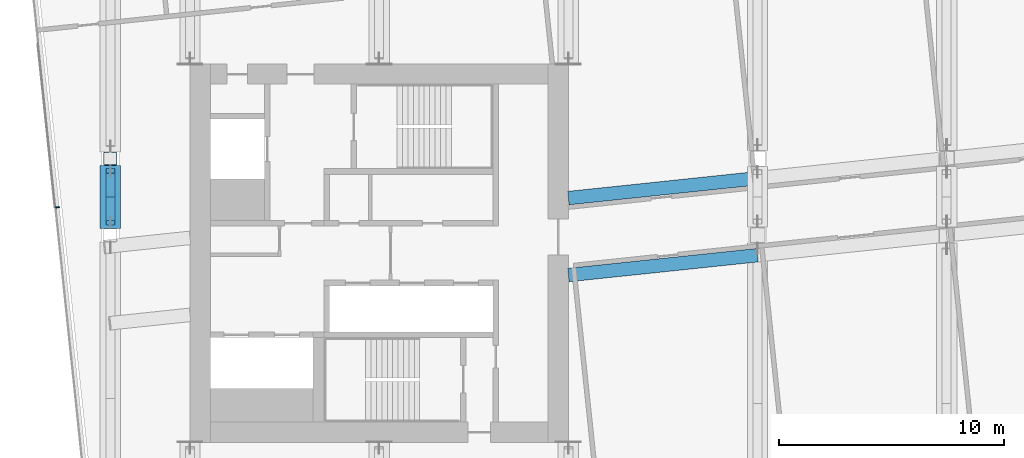
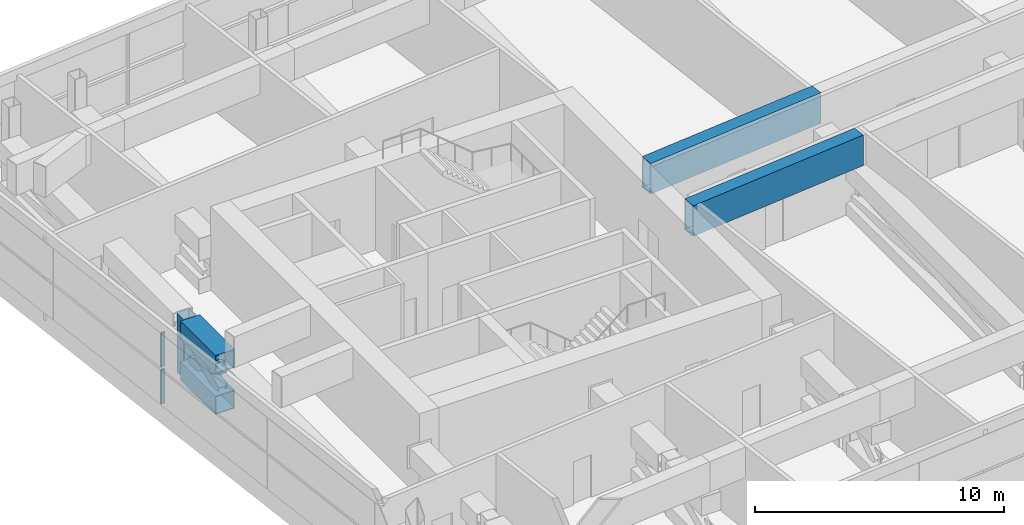
# One storey, part 4 of 33: 7 members, 2 beams, 1 element without a shape of its own.
"""IFC4 building model written with IfcOpenShell, lengths in metres."""

from ifc_helpers import new_model, si_unit, direction, frame, origin, origin_2d, place, context, subcontext, project, spatial, rectangle, hollow_rectangle, extrude, material, layer, layer_set, material_profile, profile_set, type_object, element, aggregate, save


model = new_model("IFC4")

# Units and contexts
model_context = context("Model", 3, precision=1e-05, world=origin(), true_north=direction((0.0, 1.0)))
body_context = subcontext(model_context, "Body", "Model", "MODEL_VIEW")
ifc_project = project(units=[si_unit("LENGTHUNIT", "METRE"), si_unit("AREAUNIT", "SQUARE_METRE"), si_unit("VOLUMEUNIT", "CUBIC_METRE"), si_unit("PLANEANGLEUNIT", "RADIAN"), si_unit("MASSUNIT", "GRAM", prefix="KILO")], contexts=[model_context])

# Site, building, storey
site_placement = place(None, origin())
site = spatial("IfcSite", under=ifc_project, at=site_placement, CompositionType="ELEMENT")
building_placement = place(site_placement, origin())
building = spatial("IfcBuilding", under=site, at=building_placement, Name="Hakoniwa Tower and Hamabe Station Hall", CompositionType="ELEMENT")
storey_placement = place(building_placement, frame((0.0, 0.0, 228.199951171875)))
storey = spatial("IfcBuildingStorey", under=building, at=storey_placement, Name="L65", CompositionType="ELEMENT", Elevation=228.199951171875)

# Curtain wall, members
ifc_material_1 = material(Name="Dark low-e laminated glass", Category="glass")
ifc_layer = layer(ifc_material_1, 0.199951171875)
ifc_layer_set = layer_set([ifc_layer], Name="CW-6 PLANT LOUVRE")
curtain_wall_type = type_object("IfcCurtainWallType", Name="CW-6 PLANT LOUVRE", PredefinedType="NOTDEFINED", material=ifc_layer_set)
curtain_wall_placement = place(storey_placement, origin())
curtain_wall = element("IfcCurtainWall", 1, at=curtain_wall_placement, inside=storey, type_object=curtain_wall_type, Name="CW-6 curtain wall", PredefinedType="NOTDEFINED")
ifc_material_2 = material(Name="Aluminium 6063-T5 black anodised", Category="aluminium")
ifc_material_profile_1 = material_profile(ifc_material_2, rectangle(XDim=0.06005859375, YDim=0.179931640625, at=origin_2d()), Name="CW-1 MULLION 60X180")
ifc_profile_set_1 = profile_set([ifc_material_profile_1], Name="Aluminium 6063-T5 black anodised")
member_type_1 = type_object("IfcMemberType", Name="CW-1 MULLION 60X180", PredefinedType="MULLION", material=ifc_profile_set_1)
member_1_placement = place(storey_placement, frame((-39.484619140625, 2.0361328125, 0.35009765625), z_axis=(0.0, 0.0, 1.0), x_axis=(0.104528461376, -0.994521895567, 0.0)))
member_1 = element("IfcMember", 2, at=member_1_placement, type_object=member_type_1, Name="CW-6 mullion", PredefinedType="MULLION", context=body_context, shape_type="SweptSolid", body=[
    extrude(rectangle(XDim=0.06005859375, YDim=0.179931640625, at=origin_2d()), origin(), (0.0, 0.0, 1.0), 1.68994140625),
])
member_2_placement = place(storey_placement, frame((-39.484619140625, 2.0361328125, 2.16015625), z_axis=(0.0, 0.0, 1.0), x_axis=(0.104528461376, -0.994521895567, 0.0)))
member_2 = element("IfcMember", 3, at=member_2_placement, type_object=member_type_1, Name="CW-6 mullion", PredefinedType="MULLION", context=body_context, shape_type="SweptSolid", body=[
    extrude(rectangle(XDim=0.06005859375, YDim=0.179931640625, at=origin_2d()), origin(), (0.0, 0.0, 1.0), 1.68994140625),
])
aggregate(curtain_wall, [member_1, member_2])

# Beams
ifc_material_3 = material(Name="Steel SN490C", Category="steel")
ifc_material_profile_2 = material_profile(ifc_material_3, hollow_rectangle(XDim=0.60009765625, YDim=1.5, WallThickness=0.054931640625, at=origin_2d()), Name="BX-1500x600x55")
ifc_profile_set_2 = profile_set([ifc_material_profile_2], Name="Steel SN490C")
beam_type = type_object("IfcBeamType", Name="TRANSFER GIRDER BX-1500x600x55", PredefinedType="BEAM", material=ifc_profile_set_2)
for number, where, z_axis, x_axis, name in (
    (4, (-16.800048828125, -0.97509765625, 3.35009765625), (0.99451985619, 0.10454786293, 0.0), (-0.10454786293, 0.99451985619, 0.0), "Truss T4-S-C5-G2"),
    (5, (-16.800048828125, 2.443359375, 3.35009765625), (0.99451985619, 0.10454786293, 0.0), (-0.10454786293, 0.99451985619, 0.0), "Truss T4-S-D5-G2"),
):
    element("IfcBeam", number, at=place(storey_placement, frame(where, z_axis=z_axis, x_axis=x_axis)), inside=storey, type_object=beam_type, Name=name, PredefinedType="BEAM", context=body_context, shape_type="SweptSolid", body=[
        extrude(hollow_rectangle(XDim=0.60009765625, YDim=1.5, WallThickness=0.054931640625, at=origin_2d()), origin(), (0.0, 0.0, 1.0), 8.446533203125),
    ])

# Members
ifc_material_4 = material(Name="Steel SN490C", Category="steel")
ifc_material_profile_3 = material_profile(ifc_material_4, hollow_rectangle(XDim=0.89990234375, YDim=0.89990234375, WallThickness=0.035888671875, at=origin_2d()), Name="BX-900x900x36")
ifc_profile_set_3 = profile_set([ifc_material_profile_3], Name="Steel SN490C")
member_type_2 = type_object("IfcMemberType", Name="TRUSS CHORD BX-900x900x36", PredefinedType="CHORD", material=ifc_profile_set_3)
for number, where, z_axis, x_axis, name in (
    (6, (-37.138916015625, 1.10009765625, 0.150146484375), (0.0, 1.0, 0.0), (-1.0, 0.0, 0.0), "Truss T4-01-BC02"),
    (7, (-37.138916015625, 1.10009765625, 2.150146484375), (0.0, 1.0, 0.0), (-1.0, 0.0, 0.0), "Truss T4-01-TC02"),
):
    element("IfcMember", number, at=place(storey_placement, frame(where, z_axis=z_axis, x_axis=x_axis)), inside=storey, type_object=member_type_2, Name=name, PredefinedType="CHORD", context=body_context, shape_type="SweptSolid", body=[
        extrude(hollow_rectangle(XDim=0.89990234375, YDim=0.89990234375, WallThickness=0.035888671875, at=origin_2d()), origin(), (0.0, 0.0, 1.0), 2.7998046875),
    ])
ifc_material_5 = material(Name="Steel SN490C", Category="steel")
ifc_material_profile_4 = material_profile(ifc_material_5, hollow_rectangle(XDim=0.39990234375, YDim=0.5, WallThickness=0.02197265625, at=origin_2d()), Name="BX-500x400x22")
ifc_profile_set_4 = profile_set([ifc_material_profile_4], Name="Steel SN490C")
member_type_3 = type_object("IfcMemberType", Name="TRUSS DIAGONAL BX-500x400x22", PredefinedType="BRACE", material=ifc_profile_set_4)
for number, where, z_axis, x_axis, name in (
    (8, (-37.138916015625, 1.35009765625, 0.60009765625), (0.0, 0.902142324992, 0.431438553513), (-1.0, 0.0, 0.0), "Truss T4-01-D02a"),
    (9, (-37.138916015625, 1.35009765625, 1.699951171875), (0.0, 0.902142324992, -0.431438553513), (-1.0, 0.0, 0.0), "Truss T4-01-D02b"),
):
    element("IfcMember", number, at=place(storey_placement, frame(where, z_axis=z_axis, x_axis=x_axis)), inside=storey, type_object=member_type_3, Name=name, PredefinedType="BRACE", context=body_context, shape_type="SweptSolid", body=[
        extrude(hollow_rectangle(XDim=0.39990234375, YDim=0.5, WallThickness=0.02197265625, at=origin_2d()), origin(), (0.0, 0.0, 1.0), 2.54931640625),
    ])
ifc_material_6 = material(Name="Steel BCP325", Category="steel")
ifc_material_profile_5 = material_profile(ifc_material_6, hollow_rectangle(XDim=0.60009765625, YDim=0.60009765625, WallThickness=0.02490234375, InnerFilletRadius=0.03759765625, OuterFilletRadius=0.0625, at=origin_2d()), Name="BCP-600x600x25")
ifc_profile_set_5 = profile_set([ifc_material_profile_5], Name="Steel BCP325")
member_type_4 = type_object("IfcMemberType", Name="TRUSS POST BCP-600x600x25", PredefinedType="POST", material=ifc_profile_set_5)
member_3_placement = place(storey_placement, frame((-37.138916015625, 4.199951171875, -0.300048828125), z_axis=(0.0, 0.0, 1.0), x_axis=(1.0, 0.0, 0.0)))
element("IfcMember", 10, at=member_3_placement, inside=storey, type_object=member_type_4, Name="Truss T4-01-P03", PredefinedType="POST", context=body_context, shape_type="SweptSolid", body=[
    extrude(hollow_rectangle(XDim=0.60009765625, YDim=0.60009765625, WallThickness=0.02490234375, InnerFilletRadius=0.03759765625, OuterFilletRadius=0.0625, at=origin_2d()), origin(), (0.0, 0.0, 1.0), 2.900146484375),
])

save(model, "model.ifc")
